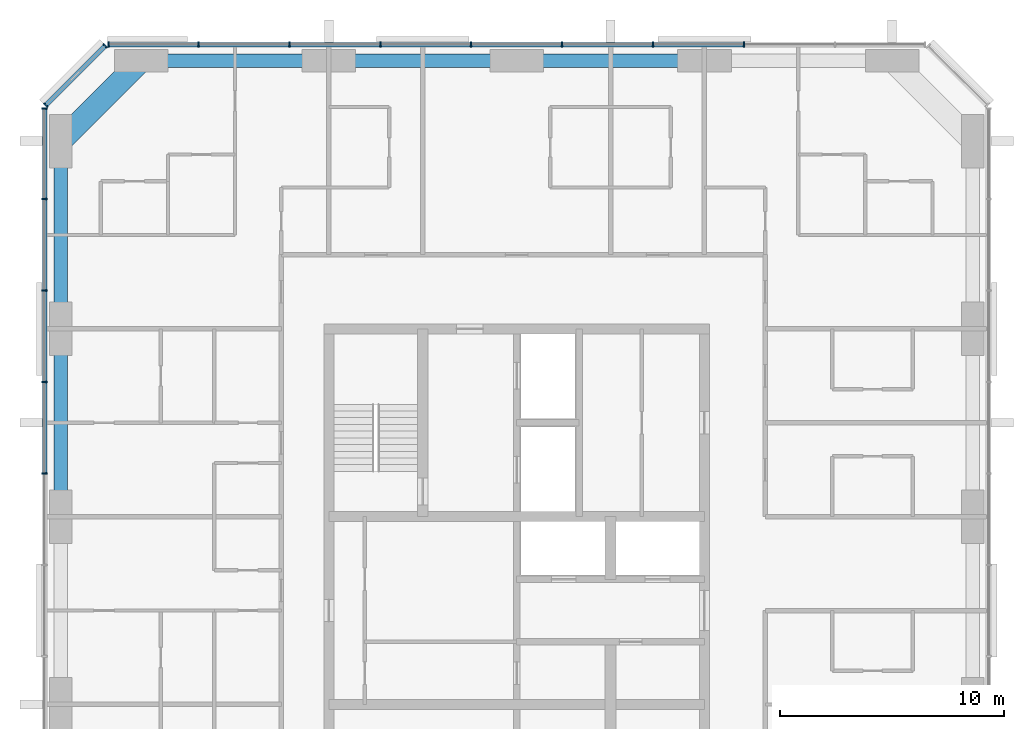
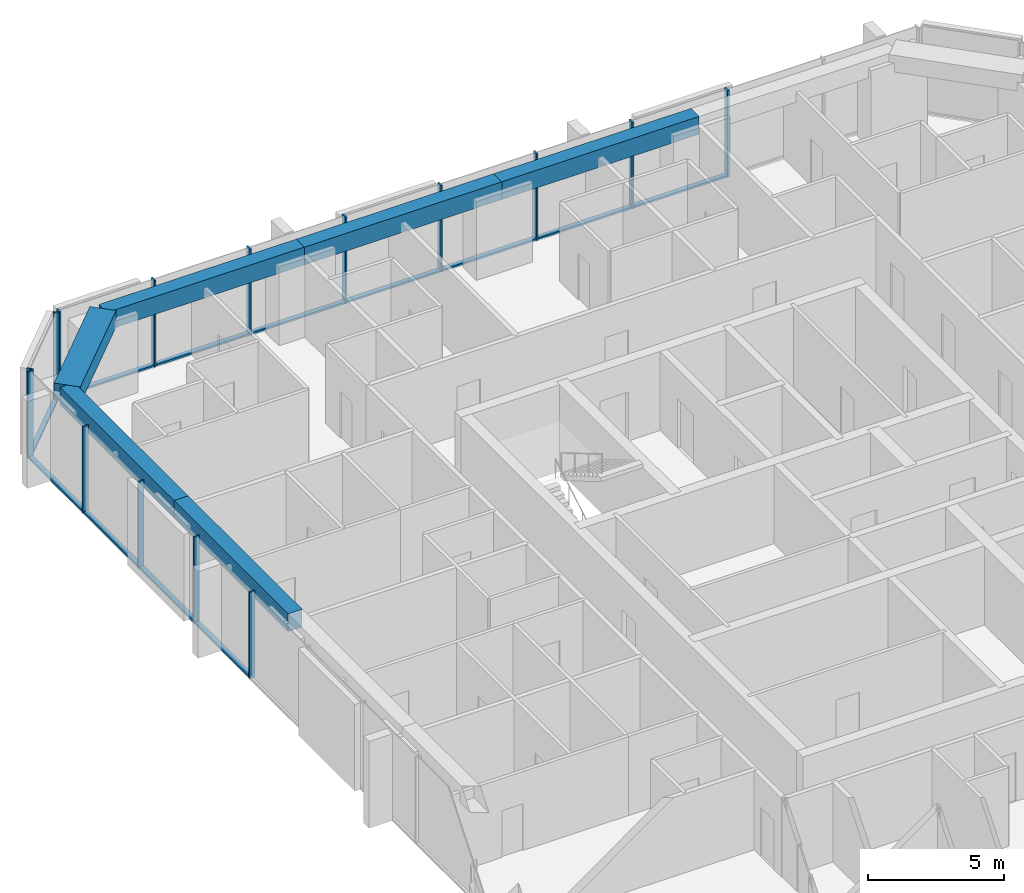
# One storey, part 4 of 12: 27 members, 6 beams, 3 elements without a shape of their own.
"""IFC4 building model written with IfcOpenShell, lengths in metres."""

from ifc_helpers import new_model, si_unit, direction, frame, origin, origin_2d, place, context, subcontext, project, spatial, rectangle, extrude, material, material_profile, profile_set, type_object, element, aggregate, save


model = new_model("IFC4")

# Units and contexts
model_context = context("Model", 3, precision=1e-05, world=origin(), true_north=direction((0.0, 1.0)))
body_context = subcontext(model_context, "Body", "Model", "MODEL_VIEW")
ifc_project = project(units=[si_unit("LENGTHUNIT", "METRE"), si_unit("AREAUNIT", "SQUARE_METRE"), si_unit("VOLUMEUNIT", "CUBIC_METRE"), si_unit("PLANEANGLEUNIT", "RADIAN"), si_unit("MASSUNIT", "GRAM", prefix="KILO")], contexts=[model_context])

# Site, building, storey
site_placement = place(None, origin())
site = spatial("IfcSite", under=ifc_project, at=site_placement, CompositionType="ELEMENT")
building_placement = place(site_placement, origin())
building = spatial("IfcBuilding", under=site, at=building_placement, Name="Dunama Terrace Hotel", CompositionType="ELEMENT")
storey_placement = place(building_placement, frame((0.0, 0.0, 252.89990234375)))
storey = spatial("IfcBuildingStorey", under=building, at=storey_placement, Name="L65", CompositionType="ELEMENT", Elevation=252.89990234375)

# Curtain wall, members
ifc_material_1 = material(Name="Aluminium curtain wall system", Category="aluminium")
curtain_wall_type = type_object("IfcCurtainWallType", Name="Unitised fritted glass wall CW-D", PredefinedType="NOTDEFINED", material=ifc_material_1)
curtain_wall_1_placement = place(storey_placement, origin())
curtain_wall_1 = element("IfcCurtainWall", 1, at=curtain_wall_1_placement, inside=storey, type_object=curtain_wall_type, Name="Unitised fritted glass wall CW-D L65", PredefinedType="NOTDEFINED")
ifc_material_2 = material(Name="Aluminium mullion", Category="aluminium")
ifc_material_profile_1 = material_profile(ifc_material_2, rectangle(XDim=0.070068359375, YDim=0.239990234375, at=origin_2d()), Name="CWD MULLION 70X240")
ifc_profile_set_1 = profile_set([ifc_material_profile_1], Name="Aluminium mullion")
member_type_1 = type_object("IfcMemberType", Name="CWD mullion 70x240", PredefinedType="MULLION", material=ifc_profile_set_1)
member_1_placement = place(storey_placement, frame((43.76708984375, 54.719970703125, 0.0), z_axis=(0.0, 0.0, 1.0), x_axis=(-1.0, 0.0, 0.0)))
member_1 = element("IfcMember", 2, at=member_1_placement, type_object=member_type_1, Name="CWD mullion", PredefinedType="MULLION", context=body_context, shape_type="SweptSolid", body=[
    extrude(rectangle(XDim=0.070068359375, YDim=0.239990234375, at=origin_2d()), origin(), (0.0, 0.0, 1.0), 3.900146484375),
])
member_2_placement = place(storey_placement, frame((39.699951171875, 54.719970703125, 0.0), z_axis=(0.0, 0.0, 1.0), x_axis=(-1.0, 0.0, 0.0)))
member_2 = element("IfcMember", 3, at=member_2_placement, type_object=member_type_1, Name="CWD mullion", PredefinedType="MULLION", context=body_context, shape_type="SweptSolid", body=[
    extrude(rectangle(XDim=0.070068359375, YDim=0.239990234375, at=origin_2d()), origin(), (0.0, 0.0, 1.0), 3.900146484375),
])
member_3_placement = place(storey_placement, frame((35.633056640625, 54.719970703125, 0.0), z_axis=(0.0, 0.0, 1.0), x_axis=(-1.0, 0.0, 0.0)))
member_3 = element("IfcMember", 4, at=member_3_placement, type_object=member_type_1, Name="CWD mullion", PredefinedType="MULLION", context=body_context, shape_type="SweptSolid", body=[
    extrude(rectangle(XDim=0.070068359375, YDim=0.239990234375, at=origin_2d()), origin(), (0.0, 0.0, 1.0), 3.900146484375),
])
member_4_placement = place(storey_placement, frame((31.56689453125, 54.719970703125, 0.0), z_axis=(0.0, 0.0, 1.0), x_axis=(-1.0, 0.0, 0.0)))
member_4 = element("IfcMember", 5, at=member_4_placement, type_object=member_type_1, Name="CWD mullion", PredefinedType="MULLION", context=body_context, shape_type="SweptSolid", body=[
    extrude(rectangle(XDim=0.070068359375, YDim=0.239990234375, at=origin_2d()), origin(), (0.0, 0.0, 1.0), 3.900146484375),
])
member_5_placement = place(storey_placement, frame((27.5, 54.719970703125, 0.0), z_axis=(0.0, 0.0, 1.0), x_axis=(-1.0, 0.0, 0.0)))
member_5 = element("IfcMember", 6, at=member_5_placement, type_object=member_type_1, Name="CWD mullion", PredefinedType="MULLION", context=body_context, shape_type="SweptSolid", body=[
    extrude(rectangle(XDim=0.070068359375, YDim=0.239990234375, at=origin_2d()), origin(), (0.0, 0.0, 1.0), 3.900146484375),
])
member_6_placement = place(storey_placement, frame((23.43310546875, 54.719970703125, 0.0), z_axis=(0.0, 0.0, 1.0), x_axis=(-1.0, 0.0, 0.0)))
member_6 = element("IfcMember", 7, at=member_6_placement, type_object=member_type_1, Name="CWD mullion", PredefinedType="MULLION", context=body_context, shape_type="SweptSolid", body=[
    extrude(rectangle(XDim=0.070068359375, YDim=0.239990234375, at=origin_2d()), origin(), (0.0, 0.0, 1.0), 3.900146484375),
])
member_7_placement = place(storey_placement, frame((19.366943359375, 54.719970703125, 0.0), z_axis=(0.0, 0.0, 1.0), x_axis=(-1.0, 0.0, 0.0)))
member_7 = element("IfcMember", 8, at=member_7_placement, type_object=member_type_1, Name="CWD mullion", PredefinedType="MULLION", context=body_context, shape_type="SweptSolid", body=[
    extrude(rectangle(XDim=0.070068359375, YDim=0.239990234375, at=origin_2d()), origin(), (0.0, 0.0, 1.0), 3.900146484375),
])
member_8_placement = place(storey_placement, frame((15.3349609375, 54.719970703125, 0.0), z_axis=(0.0, 0.0, 1.0), x_axis=(-1.0, 0.0, 0.0)))
member_8 = element("IfcMember", 9, at=member_8_placement, type_object=member_type_1, Name="CWD mullion", PredefinedType="MULLION", context=body_context, shape_type="SweptSolid", body=[
    extrude(rectangle(XDim=0.070068359375, YDim=0.239990234375, at=origin_2d()), origin(), (0.0, 0.0, 1.0), 3.900146484375),
])

curtain_wall_2_placement = place(storey_placement, origin())
curtain_wall_2 = element("IfcCurtainWall", 10, at=curtain_wall_2_placement, inside=storey, type_object=curtain_wall_type, Name="Unitised fritted glass wall CW-D L65", PredefinedType="NOTDEFINED")
member_9_placement = place(storey_placement, frame((15.18994140625, 54.659912109375, 0.0), z_axis=(0.0, 0.0, 1.0), x_axis=(-0.707106781187, -0.707106781187, 0.0)))
member_9 = element("IfcMember", 11, at=member_9_placement, type_object=member_type_1, Name="CWD mullion", PredefinedType="MULLION", context=body_context, shape_type="SweptSolid", body=[
    extrude(rectangle(XDim=0.070068359375, YDim=0.239990234375, at=origin_2d()), origin(), (0.0, 0.0, 1.0), 3.900146484375),
])
member_10_placement = place(storey_placement, frame((12.5400390625, 52.010009765625, 0.0), z_axis=(0.0, 0.0, 1.0), x_axis=(-0.707106781187, -0.707106781187, 0.0)))
member_10 = element("IfcMember", 12, at=member_10_placement, type_object=member_type_1, Name="CWD mullion", PredefinedType="MULLION", context=body_context, shape_type="SweptSolid", body=[
    extrude(rectangle(XDim=0.070068359375, YDim=0.239990234375, at=origin_2d()), origin(), (0.0, 0.0, 1.0), 3.900146484375),
])

curtain_wall_3_placement = place(storey_placement, origin())
curtain_wall_3 = element("IfcCurtainWall", 13, at=curtain_wall_3_placement, inside=storey, type_object=curtain_wall_type, Name="Unitised fritted glass wall CW-D L65", PredefinedType="NOTDEFINED")
member_11_placement = place(storey_placement, frame((12.47998046875, 51.864990234375, 0.0), z_axis=(0.0, 0.0, 1.0), x_axis=(0.0, -1.0, 0.0)))
member_11 = element("IfcMember", 14, at=member_11_placement, type_object=member_type_1, Name="CWD mullion", PredefinedType="MULLION", context=body_context, shape_type="SweptSolid", body=[
    extrude(rectangle(XDim=0.070068359375, YDim=0.239990234375, at=origin_2d()), origin(), (0.0, 0.0, 1.0), 3.900146484375),
])
member_12_placement = place(storey_placement, frame((12.47998046875, 47.80908203125, 0.0), z_axis=(0.0, 0.0, 1.0), x_axis=(0.0, -1.0, 0.0)))
member_12 = element("IfcMember", 15, at=member_12_placement, type_object=member_type_1, Name="CWD mullion", PredefinedType="MULLION", context=body_context, shape_type="SweptSolid", body=[
    extrude(rectangle(XDim=0.070068359375, YDim=0.239990234375, at=origin_2d()), origin(), (0.0, 0.0, 1.0), 3.900146484375),
])
member_13_placement = place(storey_placement, frame((12.47998046875, 43.718017578125, 0.0), z_axis=(0.0, 0.0, 1.0), x_axis=(0.0, -1.0, 0.0)))
member_13 = element("IfcMember", 16, at=member_13_placement, type_object=member_type_1, Name="CWD mullion", PredefinedType="MULLION", context=body_context, shape_type="SweptSolid", body=[
    extrude(rectangle(XDim=0.070068359375, YDim=0.239990234375, at=origin_2d()), origin(), (0.0, 0.0, 1.0), 3.900146484375),
])
member_14_placement = place(storey_placement, frame((12.47998046875, 39.626953125, 0.0), z_axis=(0.0, 0.0, 1.0), x_axis=(0.0, -1.0, 0.0)))
member_14 = element("IfcMember", 17, at=member_14_placement, type_object=member_type_1, Name="CWD mullion", PredefinedType="MULLION", context=body_context, shape_type="SweptSolid", body=[
    extrude(rectangle(XDim=0.070068359375, YDim=0.239990234375, at=origin_2d()), origin(), (0.0, 0.0, 1.0), 3.900146484375),
])
member_15_placement = place(storey_placement, frame((12.47998046875, 35.535888671875, 0.0), z_axis=(0.0, 0.0, 1.0), x_axis=(0.0, -1.0, 0.0)))
member_15 = element("IfcMember", 18, at=member_15_placement, type_object=member_type_1, Name="CWD mullion", PredefinedType="MULLION", context=body_context, shape_type="SweptSolid", body=[
    extrude(rectangle(XDim=0.070068359375, YDim=0.239990234375, at=origin_2d()), origin(), (0.0, 0.0, 1.0), 3.900146484375),
])

# Member
ifc_material_3 = material(Name="Aluminium transom", Category="aluminium")
ifc_material_profile_2 = material_profile(ifc_material_3, rectangle(XDim=0.199951171875, YDim=0.0849609375, at=origin_2d()), Name="CWD TRANSOM 200X85")
ifc_profile_set_2 = profile_set([ifc_material_profile_2], Name="Aluminium transom")
member_type_2 = type_object("IfcMemberType", Name="CWD transom 200x85", PredefinedType="USERDEFINED", material=ifc_profile_set_2)
member_16_placement = place(storey_placement, frame((43.73193359375, 54.719970703125, 0.04248046875), z_axis=(-1.0, 0.0, 0.0), x_axis=(0.0, -1.0, 0.0)))
member_16 = element("IfcMember", 19, at=member_16_placement, type_object=member_type_2, Name="CWD transom", ObjectType="TRANSOM", PredefinedType="USERDEFINED", context=body_context, shape_type="SweptSolid", body=[
    extrude(rectangle(XDim=0.199951171875, YDim=0.0849609375, at=origin_2d()), origin(), (0.0, 0.0, 1.0), 3.996826171875),
])

member_17_placement = place(storey_placement, frame((39.6650390625, 54.719970703125, 0.04248046875), z_axis=(-1.0, 0.0, 0.0), x_axis=(0.0, -1.0, 0.0)))
member_17 = element("IfcMember", 20, at=member_17_placement, type_object=member_type_2, Name="CWD transom", ObjectType="TRANSOM", PredefinedType="USERDEFINED", context=body_context, shape_type="SweptSolid", body=[
    extrude(rectangle(XDim=0.199951171875, YDim=0.0849609375, at=origin_2d()), origin(), (0.0, 0.0, 1.0), 3.9970703125),
])

member_18_placement = place(storey_placement, frame((35.597900390625, 54.719970703125, 0.04248046875), z_axis=(-1.0, 0.0, 0.0), x_axis=(0.0, -1.0, 0.0)))
member_18 = element("IfcMember", 21, at=member_18_placement, type_object=member_type_2, Name="CWD transom", ObjectType="TRANSOM", PredefinedType="USERDEFINED", context=body_context, shape_type="SweptSolid", body=[
    extrude(rectangle(XDim=0.199951171875, YDim=0.0849609375, at=origin_2d()), origin(), (0.0, 0.0, 1.0), 3.995849609375),
])

member_19_placement = place(storey_placement, frame((31.531982421875, 54.719970703125, 0.04248046875), z_axis=(-1.0, 0.0, 0.0), x_axis=(0.0, -1.0, 0.0)))
member_19 = element("IfcMember", 22, at=member_19_placement, type_object=member_type_2, Name="CWD transom", ObjectType="TRANSOM", PredefinedType="USERDEFINED", context=body_context, shape_type="SweptSolid", body=[
    extrude(rectangle(XDim=0.199951171875, YDim=0.0849609375, at=origin_2d()), origin(), (0.0, 0.0, 1.0), 3.9970703125),
])

member_20_placement = place(storey_placement, frame((27.465087890625, 54.719970703125, 0.04248046875), z_axis=(-1.0, 0.0, 0.0), x_axis=(0.0, -1.0, 0.0)))
member_20 = element("IfcMember", 23, at=member_20_placement, type_object=member_type_2, Name="CWD transom", ObjectType="TRANSOM", PredefinedType="USERDEFINED", context=body_context, shape_type="SweptSolid", body=[
    extrude(rectangle(XDim=0.199951171875, YDim=0.0849609375, at=origin_2d()), origin(), (0.0, 0.0, 1.0), 3.9970703125),
])

member_21_placement = place(storey_placement, frame((23.39794921875, 54.719970703125, 0.04248046875), z_axis=(-1.0, 0.0, 0.0), x_axis=(0.0, -1.0, 0.0)))
member_21 = element("IfcMember", 24, at=member_21_placement, type_object=member_type_2, Name="CWD transom", ObjectType="TRANSOM", PredefinedType="USERDEFINED", context=body_context, shape_type="SweptSolid", body=[
    extrude(rectangle(XDim=0.199951171875, YDim=0.0849609375, at=origin_2d()), origin(), (0.0, 0.0, 1.0), 3.995849609375),
])

member_22_placement = place(storey_placement, frame((19.33203125, 54.719970703125, 0.04248046875), z_axis=(-1.0, 0.0, 0.0), x_axis=(0.0, -1.0, 0.0)))
member_22 = element("IfcMember", 25, at=member_22_placement, type_object=member_type_2, Name="CWD transom", ObjectType="TRANSOM", PredefinedType="USERDEFINED", context=body_context, shape_type="SweptSolid", body=[
    extrude(rectangle(XDim=0.199951171875, YDim=0.0849609375, at=origin_2d()), origin(), (0.0, 0.0, 1.0), 3.9619140625),
])

aggregate(curtain_wall_1, [member_1, member_2, member_3, member_4, member_5, member_6, member_7, member_8, member_16, member_17, member_18, member_19, member_20, member_21, member_22])

member_23_placement = place(storey_placement, frame((15.166015625, 54.635009765625, 0.04248046875), z_axis=(-0.707106781187, -0.707106781187, 0.0), x_axis=(0.707106781187, -0.707106781187, 0.0)))
member_23 = element("IfcMember", 26, at=member_23_placement, type_object=member_type_2, Name="CWD transom", ObjectType="TRANSOM", PredefinedType="USERDEFINED", context=body_context, shape_type="SweptSolid", body=[
    extrude(rectangle(XDim=0.199951171875, YDim=0.0849609375, at=origin_2d()), origin(), (0.0, 0.0, 1.0), 3.678466796875),
])

aggregate(curtain_wall_2, [member_9, member_10, member_23])

member_24_placement = place(storey_placement, frame((12.47998046875, 51.830078125, 0.04248046875), z_axis=(0.0, -1.0, 0.0), x_axis=(1.0, 0.0, 0.0)))
member_24 = element("IfcMember", 27, at=member_24_placement, type_object=member_type_2, Name="CWD transom", ObjectType="TRANSOM", PredefinedType="USERDEFINED", context=body_context, shape_type="SweptSolid", body=[
    extrude(rectangle(XDim=0.199951171875, YDim=0.0849609375, at=origin_2d()), origin(), (0.0, 0.0, 1.0), 3.986083984375),
])

member_25_placement = place(storey_placement, frame((12.47998046875, 47.77392578125, 0.04248046875), z_axis=(0.0, -1.0, 0.0), x_axis=(1.0, 0.0, 0.0)))
member_25 = element("IfcMember", 28, at=member_25_placement, type_object=member_type_2, Name="CWD transom", ObjectType="TRANSOM", PredefinedType="USERDEFINED", context=body_context, shape_type="SweptSolid", body=[
    extrude(rectangle(XDim=0.199951171875, YDim=0.0849609375, at=origin_2d()), origin(), (0.0, 0.0, 1.0), 4.02099609375),
])

member_26_placement = place(storey_placement, frame((12.47998046875, 43.68310546875, 0.04248046875), z_axis=(0.0, -1.0, 0.0), x_axis=(1.0, 0.0, 0.0)))
member_26 = element("IfcMember", 29, at=member_26_placement, type_object=member_type_2, Name="CWD transom", ObjectType="TRANSOM", PredefinedType="USERDEFINED", context=body_context, shape_type="SweptSolid", body=[
    extrude(rectangle(XDim=0.199951171875, YDim=0.0849609375, at=origin_2d()), origin(), (0.0, 0.0, 1.0), 4.02099609375),
])

member_27_placement = place(storey_placement, frame((12.47998046875, 39.592041015625, 0.04248046875), z_axis=(0.0, -1.0, 0.0), x_axis=(1.0, 0.0, 0.0)))
member_27 = element("IfcMember", 30, at=member_27_placement, type_object=member_type_2, Name="CWD transom", ObjectType="TRANSOM", PredefinedType="USERDEFINED", context=body_context, shape_type="SweptSolid", body=[
    extrude(rectangle(XDim=0.199951171875, YDim=0.0849609375, at=origin_2d()), origin(), (0.0, 0.0, 1.0), 4.02099609375),
])

aggregate(curtain_wall_3, [member_11, member_12, member_13, member_14, member_15, member_24, member_25, member_26, member_27])

# Beams
ifc_material_4 = material(Name="Concrete C50/60", Category="concrete")
ifc_material_profile_3 = material_profile(ifc_material_4, rectangle(XDim=1.0, YDim=0.75, at=origin_2d()), Name="RC 1000x750")
ifc_profile_set_3 = profile_set([ifc_material_profile_3], Name="Concrete C50/60")
beam_type_1 = type_object("IfcBeamType", Name="Edge beam RC 1000x750", PredefinedType="SPANDREL", material=ifc_profile_set_3)
beam_1_placement = place(storey_placement, frame((16.800048828125, 54.0, 3.525146484375), z_axis=(-0.707106781187, -0.707106781187, 0.0), x_axis=(0.707106781187, -0.707106781187, 0.0)))
element("IfcBeam", 31, at=beam_1_placement, inside=storey, type_object=beam_type_1, Name="Corner edge beam under L66", PredefinedType="SPANDREL", context=body_context, shape_type="SweptSolid", body=[
    extrude(rectangle(XDim=1.0, YDim=0.75, at=origin_2d()), origin(), (0.0, 0.0, 1.0), 5.09130859375),
])
ifc_material_5 = material(Name="Concrete C40/50", Category="concrete")
ifc_material_profile_4 = material_profile(ifc_material_5, rectangle(XDim=0.60009765625, YDim=0.800048828125, at=origin_2d()), Name="RC 600x800")
ifc_profile_set_4 = profile_set([ifc_material_profile_4], Name="Concrete C40/50")
beam_type_2 = type_object("IfcBeamType", Name="Edge beam RC 600x800", PredefinedType="SPANDREL", material=ifc_profile_set_4)
for number, where, z_axis, x_axis, name in (
    (32, (13.199951171875, 33.60009765625, 3.5), (0.0, 1.0, 0.0), (-1.0, 0.0, 0.0), "Edge beam under L66"),
    (33, (13.199951171875, 42.0, 3.5), (0.0, 1.0, 0.0), (-1.0, 0.0, 0.0), "Edge beam under L66"),
    (34, (16.800048828125, 54.0, 3.5), (1.0, 0.0, 0.0), (0.0, 1.0, 0.0), "Edge beam under L66"),
):
    element("IfcBeam", number, at=place(storey_placement, frame(where, z_axis=z_axis, x_axis=x_axis)), inside=storey, type_object=beam_type_2, Name=name, PredefinedType="SPANDREL", context=body_context, shape_type="SweptSolid", body=[
        extrude(rectangle(XDim=0.60009765625, YDim=0.800048828125, at=origin_2d()), origin(), (0.0, 0.0, 1.0), 8.39990234375),
    ])
beam_2_placement = place(storey_placement, frame((25.199951171875, 54.0, 3.5), z_axis=(1.0, 0.0, 0.0), x_axis=(0.0, 1.0, 0.0)))
element("IfcBeam", 35, at=beam_2_placement, inside=storey, type_object=beam_type_2, Name="Edge beam under L66", PredefinedType="SPANDREL", context=body_context, shape_type="SweptSolid", body=[
    extrude(rectangle(XDim=0.60009765625, YDim=0.800048828125, at=origin_2d()), origin(), (0.0, 0.0, 1.0), 8.400146484375),
])
beam_3_placement = place(storey_placement, frame((33.60009765625, 54.0, 3.5), z_axis=(1.0, 0.0, 0.0), x_axis=(0.0, 1.0, 0.0)))
element("IfcBeam", 36, at=beam_3_placement, inside=storey, type_object=beam_type_2, Name="Edge beam under L66", PredefinedType="SPANDREL", context=body_context, shape_type="SweptSolid", body=[
    extrude(rectangle(XDim=0.60009765625, YDim=0.800048828125, at=origin_2d()), origin(), (0.0, 0.0, 1.0), 8.39990234375),
])

save(model, "model.ifc")
